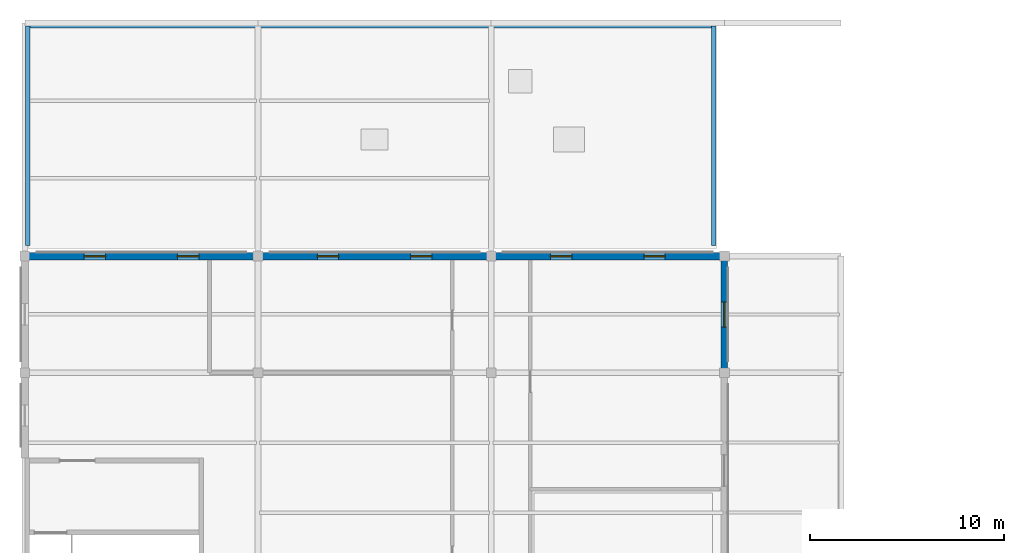
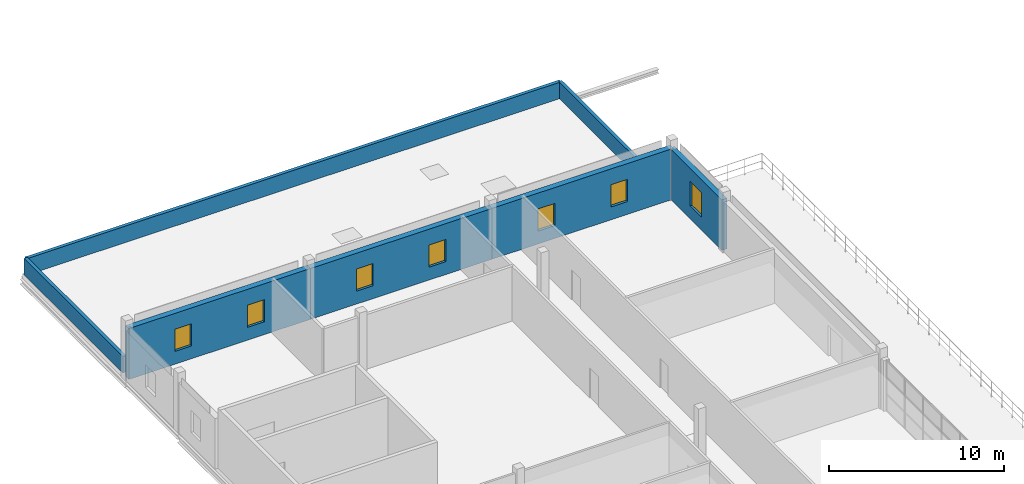
# One storey, part 10 of 11: 7 walls, 7 windows, 7 openings.
"""IFC4 building model written with IfcOpenShell, lengths in metres."""

from ifc_helpers import new_model, si_unit, direction, frame, frame_2d, origin, place, context, subcontext, project, spatial, rectangle, extrude, material, layer, layer_set, type_object, element, fill, save


model = new_model("IFC4")

# Units and contexts
model_context = context("Model", 3, precision=1e-05, world=origin(), true_north=direction((0.0, 1.0)))
body_context = subcontext(model_context, "Body", "Model", "MODEL_VIEW")
ifc_project = project(units=[si_unit("LENGTHUNIT", "METRE"), si_unit("AREAUNIT", "SQUARE_METRE"), si_unit("VOLUMEUNIT", "CUBIC_METRE"), si_unit("PLANEANGLEUNIT", "RADIAN"), si_unit("MASSUNIT", "GRAM", prefix="KILO")], contexts=[model_context])

# Site, building, storey
site_placement = place(None, origin())
site = spatial("IfcSite", under=ifc_project, at=site_placement, CompositionType="ELEMENT")
building_placement = place(site_placement, origin())
building = spatial("IfcBuilding", under=site, at=building_placement, Name="Zilviju Railside Exhibition Hall", CompositionType="ELEMENT")
storey_placement = place(building_placement, frame((0.0, 0.0, 16.800048828125)))
storey = spatial("IfcBuildingStorey", under=building, at=storey_placement, Name="L05", CompositionType="ELEMENT", Elevation=16.800048828125)

# Wall, opening, window
ifc_material_1 = material(Name="Insulated terrace foyer masonry wall", Category="masonry")
ifc_layer_1 = layer(ifc_material_1, 0.340087890625)
ifc_layer_set_1 = layer_set([ifc_layer_1], Name="Insulated terrace foyer masonry wall")
wall_type_1 = type_object("IfcWallType", Name="WL-EXT-340", PredefinedType="SOLIDWALL", material=ifc_layer_set_1)
wall_1_placement = place(storey_placement, frame((36.0, 126.0, 0.0), z_axis=(0.0, 0.0, 1.0), x_axis=(0.0, -1.0, 0.0)))
wall_1 = element("IfcWall", 1, at=wall_1_placement, inside=storey, type_object=wall_type_1, Name="Exterior Facade Wall L05 East 0514", PredefinedType="SOLIDWALL", context=body_context, shape_type="SweptSolid", body=[
    extrude(rectangle(XDim=6.0, YDim=0.340087890625, at=frame_2d((3.0, 0.0))), origin(), (0.0, 0.0, 1.0), 3.52490234375),
])
opening_1_placement = place(wall_1_placement, frame((2.35009765625, 0.0, 0.89990234375)))
opening_1 = element("IfcOpeningElement", 2, at=opening_1_placement, cuts=wall_1, Name="Opening WN-09", PredefinedType="OPENING", context=body_context, shape_type="SweptSolid", body=[
    extrude(rectangle(XDim=1.300048828125, YDim=1.699951171875, at=frame_2d((0.64990234375, 0.85009765625))), frame((0.0, 0.179931640625, 0.0), z_axis=(0.0, -1.0, 0.0), x_axis=(1.0, 0.0, 0.0)), (0.0, 0.0, 1.0), 0.360107421875),
])
ifc_material_2 = material(Name="Triple-glazed timber-aluminium window unit", Category="wood")
window_type_1 = type_object("IfcWindowType", Name="WIN-ATT-130x170", PartitioningType="SINGLE_PANEL", PredefinedType="WINDOW", material=ifc_material_2)
window_1_placement = place(opening_1_placement, origin())
window_1 = element("IfcWindow", 3, at=window_1_placement, inside=storey, type_object=window_type_1, Name="Facade Window L05 WN-0073", OverallHeight=1.699951171875, OverallWidth=1.300048828125, PartitioningType="SINGLE_PANEL", PredefinedType="WINDOW", context=body_context, shape_type="SweptSolid", body=[
    extrude(rectangle(XDim=1.300048828125, YDim=1.699951171875, at=frame_2d((0.64990234375, 0.85009765625))), frame((0.0, 0.030029296875, 0.0), z_axis=(0.0, -1.0, 0.0), x_axis=(1.0, 0.0, 0.0)), (0.0, 0.0, 1.0), 0.06005859375),
])
fill(opening_1, window_1)

# Wall, openings, windows
ifc_material_3 = material(Name="Insulated cream-brick upper facade wall", Category="masonry")
ifc_layer_2 = layer(ifc_material_3, 0.3798828125)
ifc_layer_set_2 = layer_set([ifc_layer_2], Name="Insulated cream-brick upper facade wall")
wall_type_2 = type_object("IfcWallType", Name="WL-EXT-380", PredefinedType="SOLIDWALL", material=ifc_layer_set_2)
wall_2_placement = place(storey_placement, frame((0.0, 126.0, 0.0), z_axis=(0.0, 0.0, 1.0), x_axis=(1.0, 0.0, 0.0)))
wall_2 = element("IfcWall", 4, at=wall_2_placement, inside=storey, type_object=wall_type_2, Name="Exterior Facade Wall L05 North 0516", PredefinedType="SOLIDWALL", context=body_context, shape_type="SweptSolid", body=[
    extrude(rectangle(XDim=12.0, YDim=0.3798828125, at=frame_2d((6.0, 0.0))), origin(), (0.0, 0.0, 1.0), 3.554931640625),
])
opening_2_placement = place(wall_2_placement, frame((3.050048828125, 0.0, 0.89990234375)))
opening_2 = element("IfcOpeningElement", 5, at=opening_2_placement, cuts=wall_2, Name="Opening WN-10", PredefinedType="OPENING", context=body_context, shape_type="SweptSolid", body=[
    extrude(rectangle(XDim=1.10009765625, YDim=1.550048828125, at=frame_2d((0.550048828125, 0.77490234375))), frame((0.0, 0.199951171875, 0.0), z_axis=(0.0, -1.0, 0.0), x_axis=(1.0, 0.0, 0.0)), (0.0, 0.0, 1.0), 0.39990234375),
])
opening_3_placement = place(wall_2_placement, frame((7.85009765625, 0.0, 0.89990234375)))
opening_3 = element("IfcOpeningElement", 6, at=opening_3_placement, cuts=wall_2, Name="Opening WN-10", PredefinedType="OPENING", context=body_context, shape_type="SweptSolid", body=[
    extrude(rectangle(XDim=1.10009765625, YDim=1.550048828125, at=frame_2d((0.550048828125, 0.77490234375))), frame((0.0, 0.199951171875, 0.0), z_axis=(0.0, -1.0, 0.0), x_axis=(1.0, 0.0, 0.0)), (0.0, 0.0, 1.0), 0.39990234375),
])
window_type_2 = type_object("IfcWindowType", Name="WIN-ATT-110x155", PartitioningType="SINGLE_PANEL", PredefinedType="WINDOW", material=ifc_material_2)
window_2_placement = place(opening_2_placement, origin())
window_2 = element("IfcWindow", 7, at=window_2_placement, inside=storey, type_object=window_type_2, Name="Facade Window L05 WN-0076", OverallHeight=1.550048828125, OverallWidth=1.10009765625, PartitioningType="SINGLE_PANEL", PredefinedType="WINDOW", context=body_context, shape_type="SweptSolid", body=[
    extrude(rectangle(XDim=1.10009765625, YDim=1.550048828125, at=frame_2d((0.550048828125, 0.77490234375))), frame((0.0, 0.030029296875, 0.0), z_axis=(0.0, -1.0, 0.0), x_axis=(1.0, 0.0, 0.0)), (0.0, 0.0, 1.0), 0.06005859375),
])
fill(opening_2, window_2)
window_3_placement = place(opening_3_placement, origin())
window_3 = element("IfcWindow", 8, at=window_3_placement, inside=storey, type_object=window_type_2, Name="Facade Window L05 WN-0077", OverallHeight=1.550048828125, OverallWidth=1.10009765625, PartitioningType="SINGLE_PANEL", PredefinedType="WINDOW", context=body_context, shape_type="SweptSolid", body=[
    extrude(rectangle(XDim=1.10009765625, YDim=1.550048828125, at=frame_2d((0.550048828125, 0.77490234375))), frame((0.0, 0.030029296875, 0.0), z_axis=(0.0, -1.0, 0.0), x_axis=(1.0, 0.0, 0.0)), (0.0, 0.0, 1.0), 0.06005859375),
])
fill(opening_3, window_3)

wall_3_placement = place(storey_placement, frame((12.0, 126.0, 0.0), z_axis=(0.0, 0.0, 1.0), x_axis=(1.0, 0.0, 0.0)))
wall_3 = element("IfcWall", 9, at=wall_3_placement, inside=storey, type_object=wall_type_2, Name="Exterior Facade Wall L05 North 0518", PredefinedType="SOLIDWALL", context=body_context, shape_type="SweptSolid", body=[
    extrude(rectangle(XDim=12.0, YDim=0.3798828125, at=frame_2d((6.0, 0.0))), origin(), (0.0, 0.0, 1.0), 3.554931640625),
])
opening_4_placement = place(wall_3_placement, frame((3.050048828125, 0.0, 0.89990234375)))
opening_4 = element("IfcOpeningElement", 10, at=opening_4_placement, cuts=wall_3, Name="Opening WN-10", PredefinedType="OPENING", context=body_context, shape_type="SweptSolid", body=[
    extrude(rectangle(XDim=1.10009765625, YDim=1.550048828125, at=frame_2d((0.550048828125, 0.77490234375))), frame((0.0, 0.199951171875, 0.0), z_axis=(0.0, -1.0, 0.0), x_axis=(1.0, 0.0, 0.0)), (0.0, 0.0, 1.0), 0.39990234375),
])
opening_5_placement = place(wall_3_placement, frame((7.85009765625, 0.0, 0.89990234375)))
opening_5 = element("IfcOpeningElement", 11, at=opening_5_placement, cuts=wall_3, Name="Opening WN-10", PredefinedType="OPENING", context=body_context, shape_type="SweptSolid", body=[
    extrude(rectangle(XDim=1.10009765625, YDim=1.550048828125, at=frame_2d((0.550048828125, 0.77490234375))), frame((0.0, 0.199951171875, 0.0), z_axis=(0.0, -1.0, 0.0), x_axis=(1.0, 0.0, 0.0)), (0.0, 0.0, 1.0), 0.39990234375),
])
window_4_placement = place(opening_4_placement, origin())
window_4 = element("IfcWindow", 12, at=window_4_placement, inside=storey, type_object=window_type_2, Name="Facade Window L05 WN-0080", OverallHeight=1.550048828125, OverallWidth=1.10009765625, PartitioningType="SINGLE_PANEL", PredefinedType="WINDOW", context=body_context, shape_type="SweptSolid", body=[
    extrude(rectangle(XDim=1.10009765625, YDim=1.550048828125, at=frame_2d((0.550048828125, 0.77490234375))), frame((0.0, 0.030029296875, 0.0), z_axis=(0.0, -1.0, 0.0), x_axis=(1.0, 0.0, 0.0)), (0.0, 0.0, 1.0), 0.06005859375),
])
fill(opening_4, window_4)
window_5_placement = place(opening_5_placement, origin())
window_5 = element("IfcWindow", 13, at=window_5_placement, inside=storey, type_object=window_type_2, Name="Facade Window L05 WN-0081", OverallHeight=1.550048828125, OverallWidth=1.10009765625, PartitioningType="SINGLE_PANEL", PredefinedType="WINDOW", context=body_context, shape_type="SweptSolid", body=[
    extrude(rectangle(XDim=1.10009765625, YDim=1.550048828125, at=frame_2d((0.550048828125, 0.77490234375))), frame((0.0, 0.030029296875, 0.0), z_axis=(0.0, -1.0, 0.0), x_axis=(1.0, 0.0, 0.0)), (0.0, 0.0, 1.0), 0.06005859375),
])
fill(opening_5, window_5)

wall_4_placement = place(storey_placement, frame((24.0, 126.0, 0.0), z_axis=(0.0, 0.0, 1.0), x_axis=(1.0, 0.0, 0.0)))
wall_4 = element("IfcWall", 14, at=wall_4_placement, inside=storey, type_object=wall_type_2, Name="Exterior Facade Wall L05 North 0520", PredefinedType="SOLIDWALL", context=body_context, shape_type="SweptSolid", body=[
    extrude(rectangle(XDim=12.0, YDim=0.3798828125, at=frame_2d((6.0, 0.0))), origin(), (0.0, 0.0, 1.0), 3.554931640625),
])
opening_6_placement = place(wall_4_placement, frame((3.050048828125, 0.0, 0.89990234375)))
opening_6 = element("IfcOpeningElement", 15, at=opening_6_placement, cuts=wall_4, Name="Opening WN-10", PredefinedType="OPENING", context=body_context, shape_type="SweptSolid", body=[
    extrude(rectangle(XDim=1.10009765625, YDim=1.550048828125, at=frame_2d((0.550048828125, 0.77490234375))), frame((0.0, 0.199951171875, 0.0), z_axis=(0.0, -1.0, 0.0), x_axis=(1.0, 0.0, 0.0)), (0.0, 0.0, 1.0), 0.39990234375),
])
opening_7_placement = place(wall_4_placement, frame((7.85009765625, 0.0, 0.89990234375)))
opening_7 = element("IfcOpeningElement", 16, at=opening_7_placement, cuts=wall_4, Name="Opening WN-10", PredefinedType="OPENING", context=body_context, shape_type="SweptSolid", body=[
    extrude(rectangle(XDim=1.10009765625, YDim=1.550048828125, at=frame_2d((0.550048828125, 0.77490234375))), frame((0.0, 0.199951171875, 0.0), z_axis=(0.0, -1.0, 0.0), x_axis=(1.0, 0.0, 0.0)), (0.0, 0.0, 1.0), 0.39990234375),
])
window_6_placement = place(opening_6_placement, origin())
window_6 = element("IfcWindow", 17, at=window_6_placement, inside=storey, type_object=window_type_2, Name="Facade Window L05 WN-0084", OverallHeight=1.550048828125, OverallWidth=1.10009765625, PartitioningType="SINGLE_PANEL", PredefinedType="WINDOW", context=body_context, shape_type="SweptSolid", body=[
    extrude(rectangle(XDim=1.10009765625, YDim=1.550048828125, at=frame_2d((0.550048828125, 0.77490234375))), frame((0.0, 0.030029296875, 0.0), z_axis=(0.0, -1.0, 0.0), x_axis=(1.0, 0.0, 0.0)), (0.0, 0.0, 1.0), 0.06005859375),
])
fill(opening_6, window_6)
window_7_placement = place(opening_7_placement, origin())
window_7 = element("IfcWindow", 18, at=window_7_placement, inside=storey, type_object=window_type_2, Name="Facade Window L05 WN-0085", OverallHeight=1.550048828125, OverallWidth=1.10009765625, PartitioningType="SINGLE_PANEL", PredefinedType="WINDOW", context=body_context, shape_type="SweptSolid", body=[
    extrude(rectangle(XDim=1.10009765625, YDim=1.550048828125, at=frame_2d((0.550048828125, 0.77490234375))), frame((0.0, 0.030029296875, 0.0), z_axis=(0.0, -1.0, 0.0), x_axis=(1.0, 0.0, 0.0)), (0.0, 0.0, 1.0), 0.06005859375),
])
fill(opening_7, window_7)

# Walls
ifc_material_4 = material(Name="Zinc-coped masonry terrace parapet wall", Category="masonry")
ifc_layer_3 = layer(ifc_material_4, 0.219970703125)
ifc_layer_set_3 = layer_set([ifc_layer_3], Name="Zinc-coped masonry terrace parapet wall")
wall_type_3 = type_object("IfcWallType", Name="WL-PAR-220", PredefinedType="PARAPET", material=ifc_layer_set_3)
wall_5_placement = place(storey_placement, frame((0.14990234375, 126.550048828125, 0.0), z_axis=(0.0, 0.0, 1.0), x_axis=(0.0, 1.0, 0.0)))
element("IfcWall", 19, at=wall_5_placement, inside=storey, type_object=wall_type_3, Name="Directorate North Extensive Green Roof Parapet Wall 1", PredefinedType="PARAPET", context=body_context, shape_type="SweptSolid", body=[
    extrude(rectangle(XDim=11.300048828125, YDim=0.219970703125, at=frame_2d((5.64990234375, 0.0))), origin(), (0.0, 0.0, 1.0), 1.14990234375),
])
wall_6_placement = place(storey_placement, frame((0.14990234375, 137.85009765625, 0.0), z_axis=(0.0, 0.0, 1.0), x_axis=(1.0, 0.0, 0.0)))
element("IfcWall", 20, at=wall_6_placement, inside=storey, type_object=wall_type_3, Name="Directorate North Extensive Green Roof Parapet Wall 2", PredefinedType="PARAPET", context=body_context, shape_type="SweptSolid", body=[
    extrude(rectangle(XDim=35.300048828125, YDim=0.219970703125, at=frame_2d((17.64990234375, 0.0))), origin(), (0.0, 0.0, 1.0), 1.14990234375),
])
wall_7_placement = place(storey_placement, frame((35.449951171875, 137.85009765625, 0.0), z_axis=(0.0, 0.0, 1.0), x_axis=(0.0, -1.0, 0.0)))
element("IfcWall", 21, at=wall_7_placement, inside=storey, type_object=wall_type_3, Name="Directorate North Extensive Green Roof Parapet Wall 3", PredefinedType="PARAPET", context=body_context, shape_type="SweptSolid", body=[
    extrude(rectangle(XDim=11.300048828125, YDim=0.219970703125, at=frame_2d((5.64990234375, 0.0))), origin(), (0.0, 0.0, 1.0), 1.14990234375),
])

save(model, "model.ifc")
